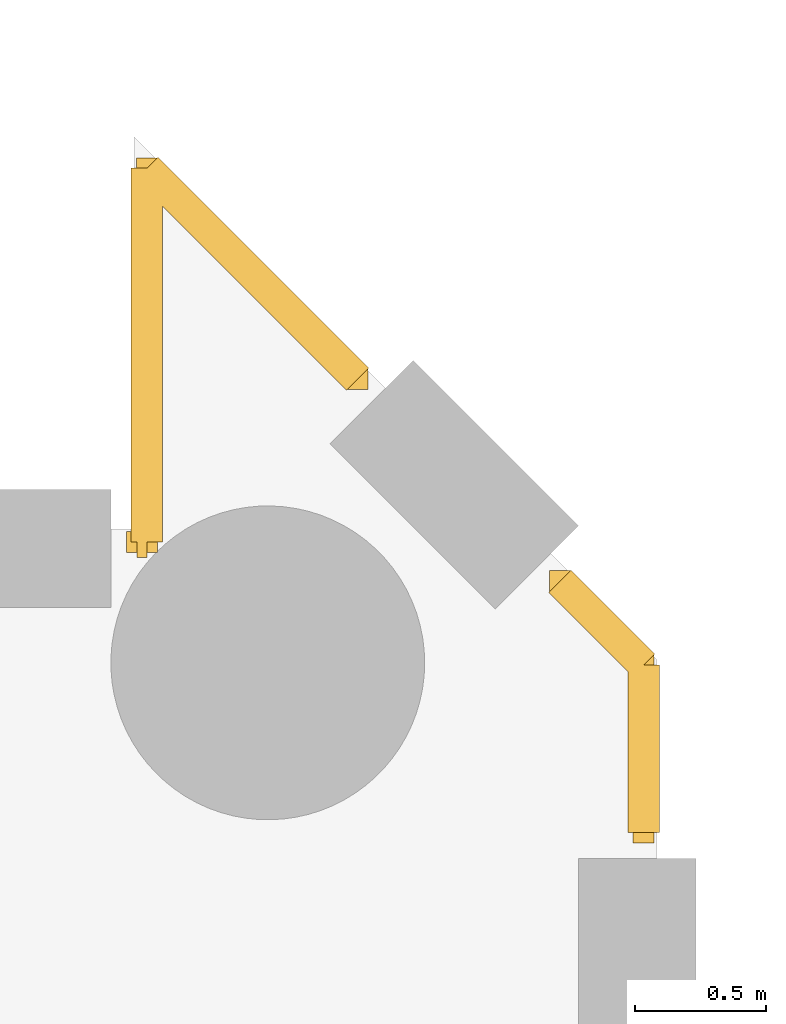
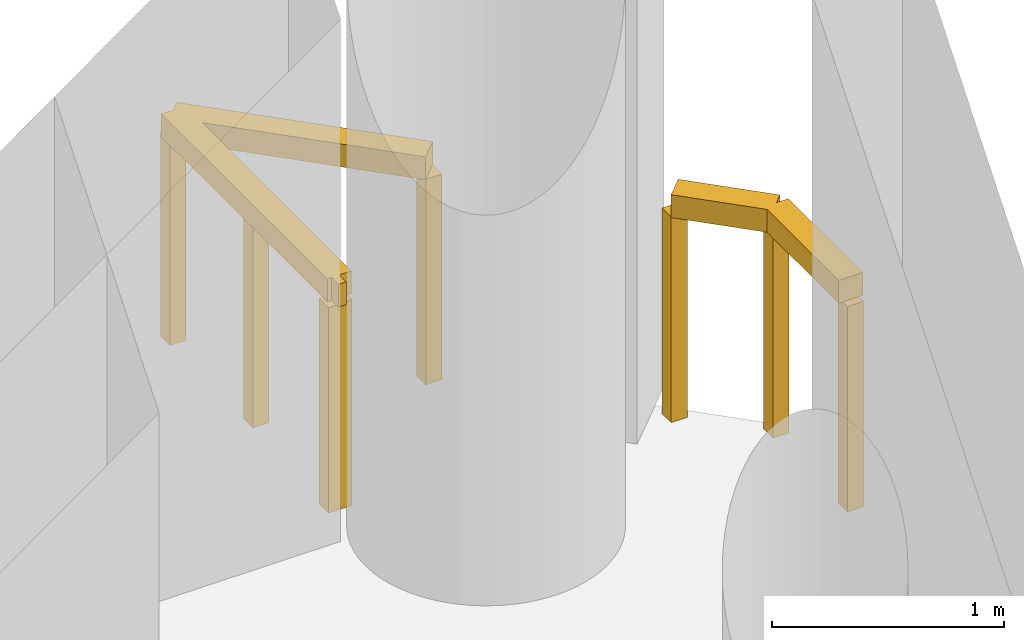
# One storey, part 9 of 9: 2 railings.
"""IFC4 building model written with IfcOpenShell, lengths in metres."""

import ifcopenshell
import ifcopenshell.guid

model = None  # the IFC model being written
_history = None  # IfcOwnerHistory: only IFC2X3 demands one
_inside = {}  # id of a spatial element -> (the spatial element, [elements in it])
_under = {}  # id of a project, library or spatial element -> (it, [spatial elements below it])
_declared = {}  # id of a project -> (the project, [libraries it declares])
_typed = {}  # id of a type object -> (the type object, [elements of that type])
_made_of = {}  # id of a material, layer set ... -> (it, [elements and type objects made of it])


def new_model(schema):
    """Start an empty IFC model of exactly this schema.

    Asked for "IFC4X3", IfcOpenShell would pick the latest addendum, in which some entities
    have other attributes; the version numbers below select the first issue.
    IFC2X3 requires an IfcOwnerHistory on every rooted entity: one is made here for all.
    """
    global model, _history
    if schema == "IFC4X3":
        model = ifcopenshell.file(schema_version=(4, 3, 0, 0))
    else:
        model = ifcopenshell.file(schema=schema)
    _inside.clear()
    _under.clear()
    _declared.clear()
    _typed.clear()
    _made_of.clear()
    _history = None
    if model.schema == "IFC2X3":
        org = make("IfcOrganization", Name="unknown")
        user = make(
            "IfcPersonAndOrganization",
            ThePerson=make("IfcPerson", FamilyName="unknown"),
            TheOrganization=org,
        )
        app = make(
            "IfcApplication",
            ApplicationDeveloper=org,
            Version="unknown",
            ApplicationFullName="unknown",
            ApplicationIdentifier="unknown",
        )
        _history = make(
            "IfcOwnerHistory",
            OwningUser=user,
            OwningApplication=app,
            ChangeAction="ADDED",
            CreationDate=0,
        )
    return model


def make(cls, **values):
    """One entity of the class cls with the attributes given. An attribute that is None is left unset."""
    return model.create_entity(
        cls, **{name: value for name, value in values.items() if value is not None}
    )


def rooted(cls, **values):
    """An entity with a GlobalId (a new one), such as an element, a storey or a relation."""
    return make(cls, GlobalId=ifcopenshell.guid.new(), OwnerHistory=_history, **values)


def si_unit(unit_type, name, prefix=None):
    """IfcSIUnit, for example si_unit("LENGTHUNIT", "METRE", prefix="MILLI")."""
    return make("IfcSIUnit", UnitType=unit_type, Prefix=prefix, Name=name)


def assignment(units):
    """IfcUnitAssignment: the units of a project."""
    return None if units is None else make("IfcUnitAssignment", Units=units)


def point(xyz):
    """IfcCartesianPoint."""
    return None if xyz is None else make("IfcCartesianPoint", Coordinates=xyz)


def direction(xyz):
    """IfcDirection."""
    return None if xyz is None else make("IfcDirection", DirectionRatios=xyz)


def frame(location, z_axis=None, x_axis=None):
    """IfcAxis2Placement3D, a coordinate frame: its origin and axes. An axis left out is left unset."""
    return make(
        "IfcAxis2Placement3D",
        Location=point(location),
        Axis=direction(z_axis),
        RefDirection=direction(x_axis),
    )


def frame_2d(location, x_axis=None):
    """IfcAxis2Placement2D, a coordinate frame in the plane: its origin and x axis."""
    return make(
        "IfcAxis2Placement2D", Location=point(location), RefDirection=direction(x_axis)
    )


def origin():
    """The frame at (0, 0, 0) with its axes left unset."""
    return frame((0.0, 0.0, 0.0))


def origin_2d():
    """The frame at (0, 0) in the plane with its x axis left unset."""
    return frame_2d((0.0, 0.0))


def place(relative_to, where):
    """IfcLocalPlacement: puts the frame where relative to a parent placement (None: the world)."""
    return make(
        "IfcLocalPlacement", PlacementRelTo=relative_to, RelativePlacement=where
    )


def context(
    kind, dimensions, precision=None, world=None, true_north=None, identifier=None
):
    """IfcGeometricRepresentationContext, for example the 3D "Model" context."""
    return make(
        "IfcGeometricRepresentationContext",
        ContextIdentifier=identifier,
        ContextType=kind,
        CoordinateSpaceDimension=dimensions,
        Precision=precision,
        WorldCoordinateSystem=world,
        TrueNorth=true_north,
    )


def subcontext(parent, identifier, kind, view, scale=None):
    """IfcGeometricRepresentationSubContext, for example "Body" below "Model"."""
    return make(
        "IfcGeometricRepresentationSubContext",
        ContextIdentifier=identifier,
        ContextType=kind,
        ParentContext=parent,
        TargetScale=scale,
        TargetView=view,
    )


def project(units=None, contexts=None):
    """IfcProject with its units and contexts."""
    return rooted(
        "IfcProject",
        Name="project",
        RepresentationContexts=contexts,
        UnitsInContext=assignment(units),
    )


def spatial(cls, under=None, at=None, **own):
    """A site, building, storey or space (cls), placed at a placement, below another one or the project."""
    s = rooted(cls, ObjectPlacement=at, **own)
    if under is not None:
        _under.setdefault(under.id(), (under, []))[1].append(s)
    return s


def profile(cls, at=None, kind="AREA", **sizes):
    """A parametric profile (cls). Its sizes go by their IFC names, for example OverallWidth=200.0."""
    return make(cls, ProfileType=kind, Position=at, **sizes)


def rectangle(**sizes):
    """IfcRectangleProfileDef."""
    return profile("IfcRectangleProfileDef", **sizes)


def extrude(swept, where, along, depth):
    """IfcExtrudedAreaSolid: the profile swept, set in the frame where, extruded along a direction by depth."""
    return make(
        "IfcExtrudedAreaSolid",
        SweptArea=swept,
        Position=where,
        ExtrudedDirection=direction(along),
        Depth=depth,
    )


def shape(context_of_items, identifier, shape_type, items):
    """IfcShapeRepresentation: the items that make up one representation, for example the "Body"."""
    return make(
        "IfcShapeRepresentation",
        ContextOfItems=context_of_items,
        RepresentationIdentifier=identifier,
        RepresentationType=shape_type,
        Items=items,
    )


def material(Name=None, Category=None):
    """IfcMaterial."""
    return make("IfcMaterial", Name=Name, Category=Category)


def made_of(thing, what):
    """Note that an element or type object is made of a material, layer set ...; save() writes the relation."""
    if what is not None:
        _made_of.setdefault(what.id(), (what, []))[1].append(thing)
    return thing


def type_object(cls, material=None, **own):
    """A type object (cls), such as IfcWallType, which elements share."""
    return made_of(rooted(cls, **own), material)


def element(
    cls,
    number,
    at=None,
    inside=None,
    cuts=None,
    type_object=None,
    material=None,
    context=None,
    identifier="Body",
    shape_type=None,
    held_by="IfcProductDefinitionShape",
    body=None,
    shapes=None,
    **own,
):
    """One element of the class cls, such as IfcWall. Its Tag is "e" and its number.

    at: its placement. inside: the storey or other place that contains it. cuts: it is an
    opening in that element (IfcRelVoidsElement). A single representation is given by context,
    identifier, shape_type and body (its items); several are given by shapes. held_by: the class
    of the entity that holds the representations. save() writes the other relations.
    """
    e = rooted(cls, Tag="e%d" % number, ObjectPlacement=at, **own)
    if body is not None:
        shapes = [shape(context, identifier, shape_type, body)]
    if shapes is not None:
        e.Representation = make(held_by, Representations=shapes)
    if inside is not None:
        _inside.setdefault(inside.id(), (inside, []))[1].append(e)
    if cuts is not None:
        rooted(
            "IfcRelVoidsElement", RelatingBuildingElement=cuts, RelatedOpeningElement=e
        )
    if type_object is not None:
        _typed.setdefault(type_object.id(), (type_object, []))[1].append(e)
    return made_of(e, material)


def aggregate(whole, parts):
    """IfcRelAggregates: a whole, such as a stair, and the parts it consists of."""
    return rooted("IfcRelAggregates", RelatingObject=whole, RelatedObjects=parts)


def save(model, path):
    """Write the relations noted so far, then the file.

    IfcRelAggregates (storeys below a building ...), IfcRelContainedInSpatialStructure (elements
    in a storey), IfcRelDefinesByType, IfcRelAssociatesMaterial and IfcRelDeclares: one each for
    every whole, place, type object, material and project.
    """
    for whole, parts in _under.values():
        aggregate(whole, parts)
    for where, things in _inside.values():
        rooted(
            "IfcRelContainedInSpatialStructure",
            RelatedElements=things,
            RelatingStructure=where,
        )
    for kind, things in _typed.values():
        rooted("IfcRelDefinesByType", RelatedObjects=things, RelatingType=kind)
    for what, things in _made_of.values():
        rooted("IfcRelAssociatesMaterial", RelatedObjects=things, RelatingMaterial=what)
    for by, libraries in _declared.values():
        rooted("IfcRelDeclares", RelatingContext=by, RelatedDefinitions=libraries)
    model.write(path)


model = new_model("IFC4")

# Units and contexts
model_context = context("Model", 3, precision=1e-05, world=origin(), true_north=direction((0.0, 1.0)))
body_context = subcontext(model_context, "Body", "Model", "MODEL_VIEW")
ifc_project = project(units=[si_unit("LENGTHUNIT", "METRE"), si_unit("AREAUNIT", "SQUARE_METRE"), si_unit("VOLUMEUNIT", "CUBIC_METRE"), si_unit("PLANEANGLEUNIT", "RADIAN"), si_unit("MASSUNIT", "GRAM", prefix="KILO")], contexts=[model_context])

# Site, building, storey
site_placement = place(None, origin())
site = spatial("IfcSite", under=ifc_project, at=site_placement, CompositionType="ELEMENT")
building_placement = place(site_placement, origin())
building = spatial("IfcBuilding", under=site, at=building_placement, Name="Cypress Arch Tower", CompositionType="ELEMENT")
storey_placement = place(building_placement, frame((0.0, 0.0, 335.0)))
storey = spatial("IfcBuildingStorey", under=building, at=storey_placement, Name="L76", CompositionType="ELEMENT", Elevation=335.0)

# Railings
ifc_material = material(Name="Stainless steel posts and handrail, laminated glass infill", Category="steel")
railing_type = type_object("IfcRailingType", Name="Deck guard GR1200D", PredefinedType="GUARDRAIL", material=ifc_material)
railing_1_placement = place(storey_placement, frame((8.01220703125, 12.449951171875, 0.0)))
element("IfcRailing", 1, at=railing_1_placement, inside=storey, type_object=railing_type, Name="Crown edge guard L76 6", PredefinedType="GUARDRAIL", context=body_context, shape_type="SweptSolid", body=[
    extrude(rectangle(XDim=0.1201171875, YDim=0.1201171875, at=origin_2d()), frame((0.0, 0.0, 1.139892578125), z_axis=(1.0, 0.0, 0.0), x_axis=(0.0, 1.0, 0.0)), (0.0, 0.0, 1.0), 0.037841796875),
    extrude(rectangle(XDim=0.1201171875, YDim=0.1201171875, at=origin_2d()), frame((0.037841796875, 0.0, 1.139892578125), z_axis=(0.0, 1.0, 0.0), x_axis=(-1.0, 0.0, 0.0)), (0.0, 0.0, 1.0), 1.429443359375),
    extrude(rectangle(XDim=0.1201171875, YDim=0.1201171875, at=origin_2d()), frame((0.037841796875, 1.429443359375, 1.139892578125), z_axis=(0.707106781187, -0.707106781187, 0.0), x_axis=(0.707106781187, 0.707106781187, 0.0)), (0.0, 0.0, 1.0), 1.14013671875),
    extrude(rectangle(XDim=0.080078125, YDim=0.080078125, at=origin_2d()), origin(), (0.0, 0.0, 1.0), 1.079833984375),
    extrude(rectangle(XDim=0.080078125, YDim=0.080078125, at=origin_2d()), frame((0.037841796875, 0.0, 0.0)), (0.0, 0.0, 1.0), 1.079833984375),
    extrude(rectangle(XDim=0.080078125, YDim=0.080078125, at=origin_2d()), frame((0.037841796875, 0.71484375, 0.0)), (0.0, 0.0, 1.0), 1.079833984375),
    extrude(rectangle(XDim=0.080078125, YDim=0.080078125, at=origin_2d()), frame((0.037841796875, 1.429443359375, 0.0)), (0.0, 0.0, 1.0), 1.079833984375),
    extrude(rectangle(XDim=0.080078125, YDim=0.080078125, at=origin_2d()), frame((0.843994140625, 0.623291015625, 0.0)), (0.0, 0.0, 1.0), 1.079833984375),
])
railing_2_placement = place(storey_placement, frame((9.62939453125, 12.300048828125, 0.0)))
element("IfcRailing", 2, at=railing_2_placement, inside=storey, type_object=railing_type, Name="Crown edge guard L76 8", PredefinedType="GUARDRAIL", context=body_context, shape_type="SweptSolid", body=[
    extrude(rectangle(XDim=0.1201171875, YDim=0.1201171875, at=origin_2d()), frame((0.0, 0.0, 1.139892578125), z_axis=(0.706837561044, -0.707375898867, 0.0), x_axis=(0.707375898867, 0.706837561044, 0.0)), (0.0, 0.0, 1.0), 0.45361328125),
    extrude(rectangle(XDim=0.1201171875, YDim=0.1201171875, at=origin_2d()), frame((0.320556640625, -0.32080078125, 1.139892578125), z_axis=(0.0, -1.0, 0.0), x_axis=(1.0, 0.0, 0.0)), (0.0, 0.0, 1.0), 0.639892578125),
    extrude(rectangle(XDim=0.080078125, YDim=0.080078125, at=origin_2d()), origin(), (0.0, 0.0, 1.0), 1.079833984375),
    extrude(rectangle(XDim=0.080078125, YDim=0.080078125, at=origin_2d()), frame((0.320556640625, -0.32080078125, 0.0)), (0.0, 0.0, 1.0), 1.079833984375),
    extrude(rectangle(XDim=0.080078125, YDim=0.080078125, at=origin_2d()), frame((0.320556640625, -0.960693359375, 0.0)), (0.0, 0.0, 1.0), 1.079833984375),
])

save(model, "model.ifc")
